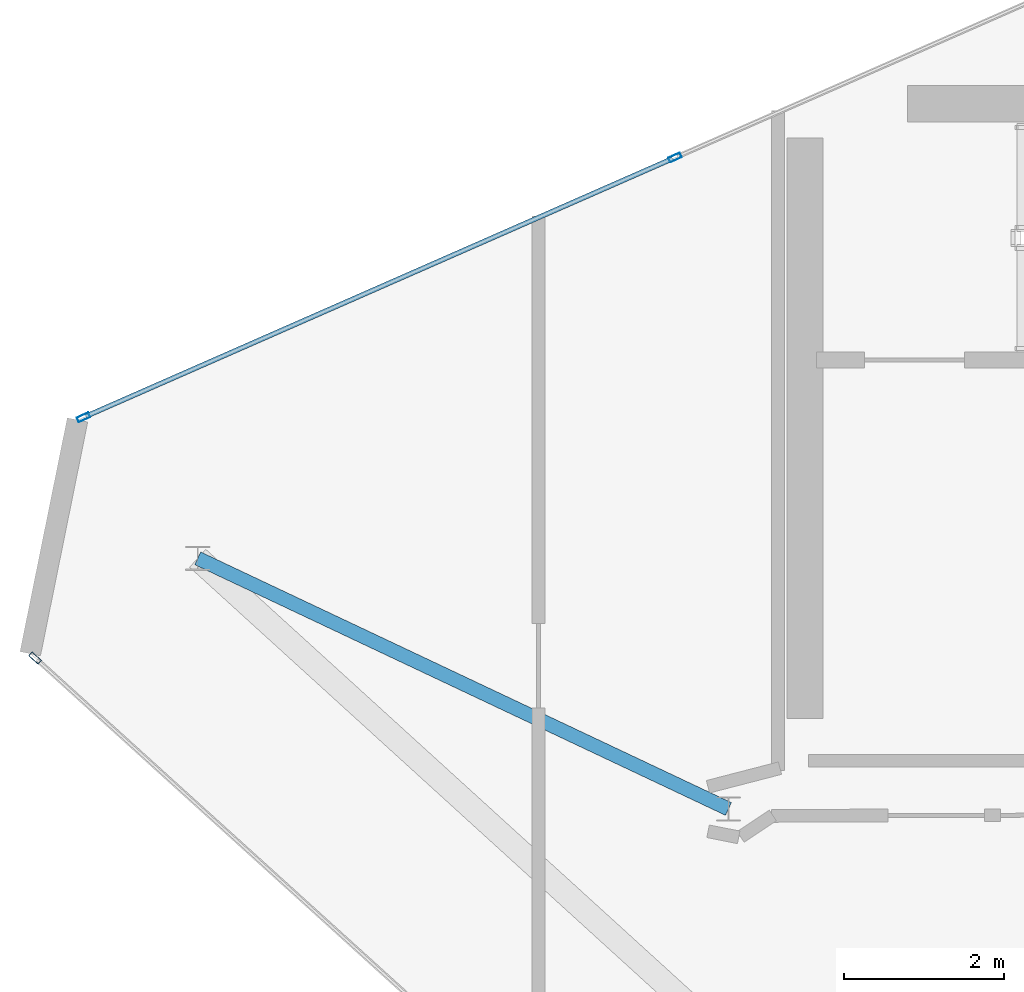
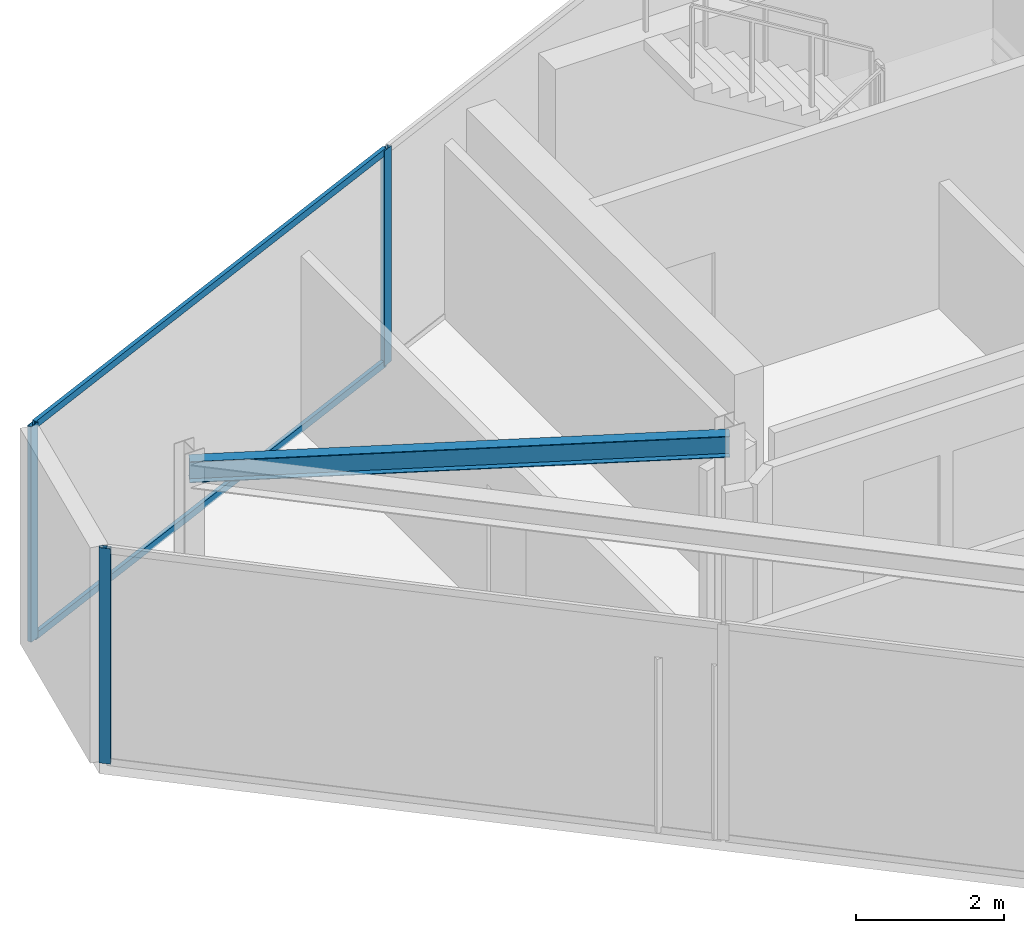
# One storey, part 7 of 14: 5 members, 1 beam, 2 elements without a shape of their own.
"""IFC4 building model written with IfcOpenShell, lengths in metres."""

from ifc_helpers import new_model, si_unit, direction, frame, origin, origin_2d, place, context, subcontext, project, spatial, hollow_rectangle, i_section, extrude, material, layer, layer_set, material_profile, profile_set, type_object, element, aggregate, save


model = new_model("IFC4")

# Units and contexts
model_context = context("Model", 3, precision=1e-05, world=origin(), true_north=direction((0.0, 1.0)))
body_context = subcontext(model_context, "Body", "Model", "MODEL_VIEW")
ifc_project = project(units=[si_unit("LENGTHUNIT", "METRE"), si_unit("AREAUNIT", "SQUARE_METRE"), si_unit("VOLUMEUNIT", "CUBIC_METRE"), si_unit("PLANEANGLEUNIT", "RADIAN"), si_unit("MASSUNIT", "GRAM", prefix="KILO")], contexts=[model_context])

# Site, building, storey
site_placement = place(None, origin())
site = spatial("IfcSite", under=ifc_project, at=site_placement, CompositionType="ELEMENT")
building_placement = place(site_placement, origin())
building = spatial("IfcBuilding", under=site, at=building_placement, Name="Qianvela Tower", CompositionType="ELEMENT")
storey_placement = place(building_placement, frame((0.0, 0.0, 371.300048828125)))
storey = spatial("IfcBuildingStorey", under=building, at=storey_placement, Name="L96", CompositionType="ELEMENT", Elevation=371.300048828125)

# Beam
ifc_material_1 = material(Name="Steel Q355B", Category="steel")
ifc_material_profile_1 = material_profile(ifc_material_1, i_section(OverallWidth=0.175048828125, OverallDepth=0.35009765625, WebThickness=0.007080078125, FlangeThickness=0.010986328125, at=origin_2d()), Name="HN350x175x7x11")
ifc_profile_set_1 = profile_set([ifc_material_profile_1], Name="Steel Q355B")
beam_type = type_object("IfcBeamType", Name="BM-HN350-JOIST", PredefinedType="JOIST", material=ifc_profile_set_1)
beam_placement = place(storey_placement, frame((28.60009765625, 23.85009765625, 3.373046875), z_axis=(-0.904234337574, 0.427036605868, 0.0), x_axis=(-0.427036605868, -0.904234337574, 0.0)))
element("IfcBeam", 1, at=beam_placement, inside=storey, type_object=beam_type, Name="L96 Crown Radial Floor Girder 3", PredefinedType="JOIST", context=body_context, shape_type="SweptSolid", body=[
    extrude(i_section(OverallWidth=0.175048828125, OverallDepth=0.35009765625, WebThickness=0.007080078125, FlangeThickness=0.010986328125, at=origin_2d()), origin(), (0.0, 0.0, 1.0), 7.320068359375),
])

# Curtain wall, members
ifc_material_2 = material(Name="Anodised Architectural Aluminium and Low-E Glass", Category="aluminium")
ifc_layer = layer(ifc_material_2, 0.159912109375)
ifc_layer_set = layer_set([ifc_layer], Name="Anodised Architectural Aluminium and Low-E Glass")
curtain_wall_type = type_object("IfcCurtainWallType", Name="CW-CROWN", PredefinedType="USERDEFINED", material=ifc_layer_set)
curtain_wall_1_placement = place(storey_placement, origin())
curtain_wall_1 = element("IfcCurtainWall", 2, at=curtain_wall_1_placement, inside=storey, type_object=curtain_wall_type, Name="L96 CW-CROWN Curtain Wall 02", ObjectType="CURTAIN_WALL_SYSTEM", PredefinedType="USERDEFINED")
ifc_material_3 = material(Name="Anodised Architectural Aluminium 6063-T6", Category="aluminium")
ifc_material_profile_2 = material_profile(ifc_material_3, hollow_rectangle(XDim=0.06494140625, YDim=0.159912109375, WallThickness=0.0048828125, at=origin_2d()), Name="ALU-MULL-65x160")
ifc_profile_set_2 = profile_set([ifc_material_profile_2], Name="Anodised Architectural Aluminium 6063-T6")
member_type_1 = type_object("IfcMemberType", Name="CW-CROWN-MULL", PredefinedType="MULLION", material=ifc_profile_set_2)
member_1_placement = place(storey_placement, frame((27.93310546875, 31.974853515625, 0.0), z_axis=(0.0, 0.0, 1.0), x_axis=(0.402169726796, -0.915565131954, 0.0)))
member_1 = element("IfcMember", 3, at=member_1_placement, type_object=member_type_1, Name="CW-8 mullion 4", PredefinedType="MULLION", context=body_context, shape_type="SweptSolid", body=[
    extrude(hollow_rectangle(XDim=0.06494140625, YDim=0.159912109375, WallThickness=0.0048828125, at=origin_2d()), origin(), (0.0, 0.0, 1.0), 3.550048828125),
])
member_2_placement = place(storey_placement, frame((20.556640625, 28.734619140625, 0.0), z_axis=(0.0, 0.0, 1.0), x_axis=(0.402169726796, -0.915565131954, 0.0)))
member_2 = element("IfcMember", 4, at=member_2_placement, type_object=member_type_1, Name="CW-8 mullion 5", PredefinedType="MULLION", context=body_context, shape_type="SweptSolid", body=[
    extrude(hollow_rectangle(XDim=0.06494140625, YDim=0.159912109375, WallThickness=0.0048828125, at=origin_2d()), origin(), (0.0, 0.0, 1.0), 3.550048828125),
])

# Curtain wall, member
curtain_wall_2_placement = place(storey_placement, origin())
curtain_wall_2 = element("IfcCurtainWall", 5, at=curtain_wall_2_placement, inside=storey, type_object=curtain_wall_type, Name="L96 CW-CROWN Curtain Wall 04", ObjectType="CURTAIN_WALL_SYSTEM", PredefinedType="USERDEFINED")
member_3_placement = place(storey_placement, frame((19.952880859375, 25.7314453125, 0.0), z_axis=(0.0, 0.0, 1.0), x_axis=(0.67120333428, 0.741273285672, 0.0)))
member_3 = element("IfcMember", 6, at=member_3_placement, type_object=member_type_1, Name="CW-8 mullion 1", PredefinedType="MULLION", context=body_context, shape_type="SweptSolid", body=[
    extrude(hollow_rectangle(XDim=0.06494140625, YDim=0.159912109375, WallThickness=0.0048828125, at=origin_2d()), origin(), (0.0, 0.0, 1.0), 3.550048828125),
])
aggregate(curtain_wall_2, [member_3])

# Member
ifc_material_4 = material(Name="Anodised Architectural Aluminium 6063-T6", Category="aluminium")
ifc_material_profile_3 = material_profile(ifc_material_4, hollow_rectangle(XDim=0.06005859375, YDim=0.114990234375, WallThickness=0.00390625, at=origin_2d()), Name="ALU-TRAN-60x115")
ifc_profile_set_3 = profile_set([ifc_material_profile_3], Name="Anodised Architectural Aluminium 6063-T6")
member_type_2 = type_object("IfcMemberType", Name="CW-CROWN-TRAN", PredefinedType="USERDEFINED", material=ifc_profile_set_3)
member_4_placement = place(storey_placement, frame((27.9033203125, 31.961669921875, 0.030029296875), z_axis=(-0.915571610493, -0.402154977662, 0.0), x_axis=(0.402154977662, -0.915571610493, 0.0)))
member_4 = element("IfcMember", 7, at=member_4_placement, type_object=member_type_2, Name="CW-8 transom 4.1", ObjectType="TRANSOM", PredefinedType="USERDEFINED", context=body_context, shape_type="SweptSolid", body=[
    extrude(hollow_rectangle(XDim=0.06005859375, YDim=0.114990234375, WallThickness=0.00390625, at=origin_2d()), origin(), (0.0, 0.0, 1.0), 7.99169921875),
])

member_5_placement = place(storey_placement, frame((27.9033203125, 31.961669921875, 3.52001953125), z_axis=(-0.915571610493, -0.402154977662, 0.0), x_axis=(0.402154977662, -0.915571610493, 0.0)))
member_5 = element("IfcMember", 8, at=member_5_placement, type_object=member_type_2, Name="CW-8 transom 4.2", ObjectType="TRANSOM", PredefinedType="USERDEFINED", context=body_context, shape_type="SweptSolid", body=[
    extrude(hollow_rectangle(XDim=0.06005859375, YDim=0.114990234375, WallThickness=0.00390625, at=origin_2d()), origin(), (0.0, 0.0, 1.0), 7.99169921875),
])

aggregate(curtain_wall_1, [member_1, member_2, member_4, member_5])

save(model, "model.ifc")
